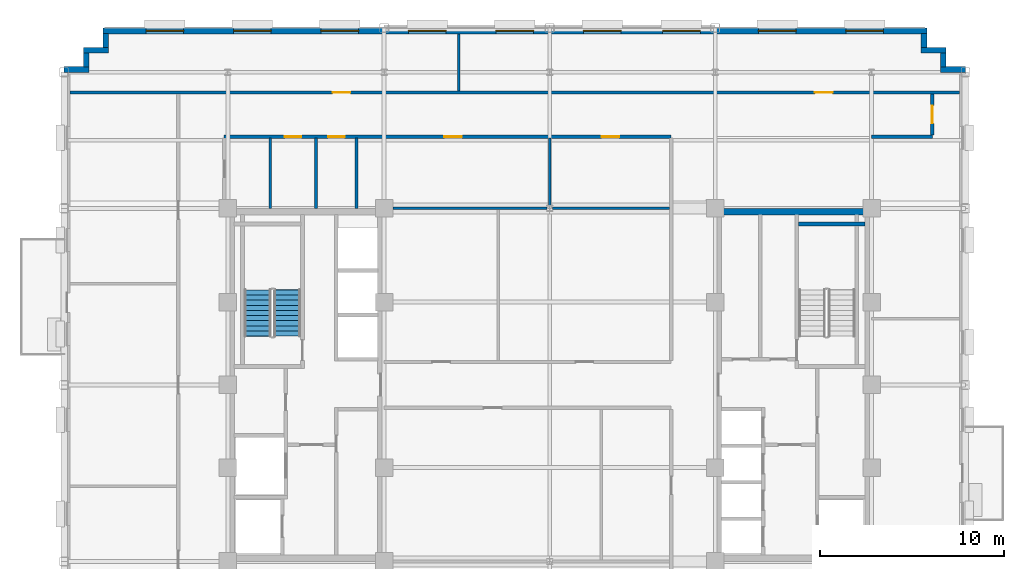
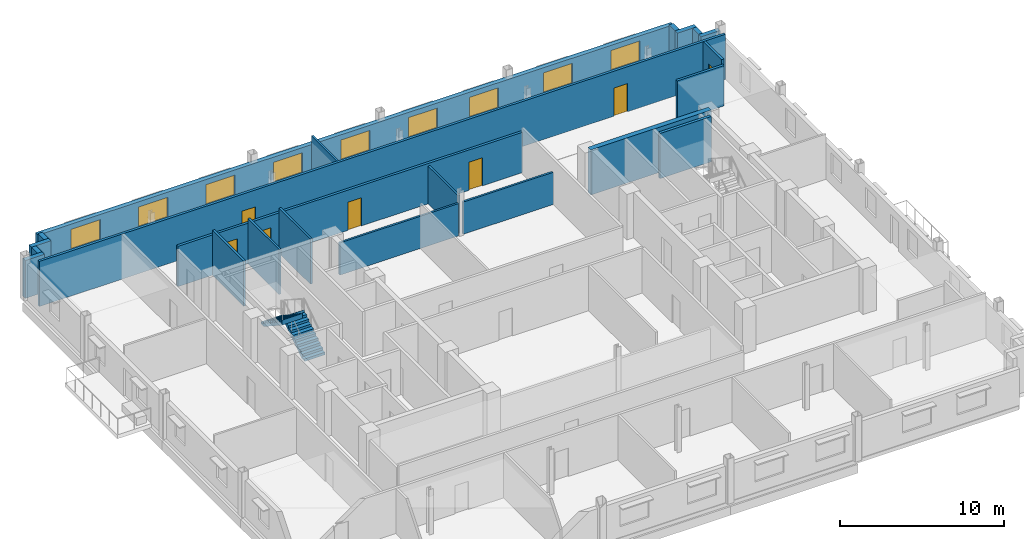
# One storey, part 10 of 15: 22 walls, 9 windows, 7 doors, 2 stair flights, 16 openings, 1 element without a shape of its own.
"""IFC4 building model written with IfcOpenShell, lengths in metres."""

from ifc_helpers import new_model, si_unit, direction, frame, frame_2d, origin, place, context, subcontext, project, spatial, polyline, rectangle, outline, extrude, source, transform, mapped, material, layer, layer_set, type_object, type_shapes, element, fill, aggregate, save


model = new_model("IFC4")

# Units and contexts
model_context = context("Model", 3, precision=1e-05, world=origin(), true_north=direction((0.0, 1.0)))
body_context = subcontext(model_context, "Body", "Model", "MODEL_VIEW")
ifc_project = project(units=[si_unit("LENGTHUNIT", "METRE"), si_unit("AREAUNIT", "SQUARE_METRE"), si_unit("VOLUMEUNIT", "CUBIC_METRE"), si_unit("PLANEANGLEUNIT", "RADIAN"), si_unit("MASSUNIT", "GRAM", prefix="KILO")], contexts=[model_context])

# Site, building, storey
site_placement = place(None, origin())
site = spatial("IfcSite", under=ifc_project, at=site_placement, CompositionType="ELEMENT")
building_placement = place(site_placement, origin())
building = spatial("IfcBuilding", under=site, at=building_placement, Name="Nuvemarco Arch Tower", CompositionType="ELEMENT")
storey_placement = place(building_placement, frame((0.0, 0.0, 190.89990234375)))
storey = spatial("IfcBuildingStorey", under=building, at=storey_placement, Name="L50", CompositionType="ELEMENT", Elevation=190.89990234375)

# Walls
ifc_material_1 = material(Name="Precast concrete C45/55", Category="concrete")
ifc_layer_1 = layer(ifc_material_1, 0.31005859375, Name="EW-UPP-310")
ifc_layer_set_1 = layer_set([ifc_layer_1], Name="Precast concrete C45/55")
wall_type_1 = type_object("IfcWallType", Name="EW-UPP-310", PredefinedType="STANDARD", material=ifc_layer_set_1)
wall_1_placement = place(storey_placement, frame((21.239990234375, 17.14501953125, 0.0), z_axis=(0.0, 0.0, 1.0), x_axis=(1.0, 0.0, 0.0)))
element("IfcWall", 1, at=wall_1_placement, inside=storey, type_object=wall_type_1, Name="L50 exterior precast facade wall 7", PredefinedType="STANDARD", context=body_context, shape_type="SweptSolid", body=[
    extrude(rectangle(XDim=1.360107421875, YDim=0.31005859375, at=frame_2d((0.68017578125, 0.0))), origin(), (0.0, 0.0, 1.0), 2.816162109375),
])
wall_2_placement = place(storey_placement, frame((21.39501953125, 17.2958984375, 0.0), z_axis=(0.0, 0.0, 1.0), x_axis=(0.0, 1.0, 0.0)))
element("IfcWall", 2, at=wall_2_placement, inside=storey, type_object=wall_type_1, Name="L50 exterior precast facade wall 8", PredefinedType="STANDARD", context=body_context, shape_type="SweptSolid", body=[
    extrude(rectangle(XDim=0.748046875, YDim=0.31005859375, at=frame_2d((0.3740234375, 0.0))), origin(), (0.0, 0.0, 1.0), 2.816162109375),
])
wall_3_placement = place(storey_placement, frame((20.18994140625, 18.195068359375, 0.0), z_axis=(0.0, 0.0, 1.0), x_axis=(1.0, 0.0, 0.0)))
element("IfcWall", 3, at=wall_3_placement, inside=storey, type_object=wall_type_1, Name="L50 exterior precast facade wall 9", PredefinedType="STANDARD", context=body_context, shape_type="SweptSolid", body=[
    extrude(rectangle(XDim=1.360107421875, YDim=0.31005859375, at=frame_2d((0.68017578125, 0.0))), origin(), (0.0, 0.0, 1.0), 2.816162109375),
])
wall_4_placement = place(storey_placement, frame((20.344970703125, 18.345947265625, 0.0), z_axis=(0.0, 0.0, 1.0), x_axis=(0.0, 1.0, 0.0)))
element("IfcWall", 4, at=wall_4_placement, inside=storey, type_object=wall_type_1, Name="L50 exterior precast facade wall 10", PredefinedType="STANDARD", context=body_context, shape_type="SweptSolid", body=[
    extrude(rectangle(XDim=0.748046875, YDim=0.31005859375, at=frame_2d((0.3740234375, 0.0))), origin(), (0.0, 0.0, 1.0), 2.816162109375),
])

# Wall, openings, windows
wall_5_placement = place(storey_placement, frame((-24.300048828125, 19.2451171875, 0.0), z_axis=(0.0, 0.0, 1.0), x_axis=(1.0, 0.0, 0.0)))
wall_5 = element("IfcWall", 5, at=wall_5_placement, inside=storey, type_object=wall_type_1, Name="L50 exterior precast facade wall 11", PredefinedType="STANDARD", context=body_context, shape_type="SweptSolid", body=[
    extrude(rectangle(XDim=44.800048828125, YDim=0.31005859375, at=frame_2d((22.39990234375, 0.0))), origin(), (0.0, 0.0, 1.0), 2.705078125),
])
opening_1_placement = place(wall_5_placement, frame((2.352783203125, 0.0, 0.800048828125)))
opening_1 = element("IfcOpeningElement", 6, at=opening_1_placement, cuts=wall_5, Name="Opening WN-12", PredefinedType="OPENING", context=body_context, shape_type="SweptSolid", body=[
    extrude(rectangle(XDim=2.050048828125, YDim=1.52001953125, at=frame_2d((1.02490234375, 0.760009765625))), frame((0.0, 0.1650390625, 0.0), z_axis=(0.0, -1.0, 0.0), x_axis=(1.0, 0.0, 0.0)), (0.0, 0.0, 1.0), 0.330078125),
])
opening_2_placement = place(wall_5_placement, frame((7.1083984375, 0.0, 0.800048828125)))
opening_2 = element("IfcOpeningElement", 7, at=opening_2_placement, cuts=wall_5, Name="Opening WN-12", PredefinedType="OPENING", context=body_context, shape_type="SweptSolid", body=[
    extrude(rectangle(XDim=2.050048828125, YDim=1.52001953125, at=frame_2d((1.02490234375, 0.760009765625))), frame((0.0, 0.1650390625, 0.0), z_axis=(0.0, -1.0, 0.0), x_axis=(1.0, 0.0, 0.0)), (0.0, 0.0, 1.0), 0.330078125),
])
opening_3_placement = place(wall_5_placement, frame((11.864013671875, 0.0, 0.800048828125)))
opening_3 = element("IfcOpeningElement", 8, at=opening_3_placement, cuts=wall_5, Name="Opening WN-12", PredefinedType="OPENING", context=body_context, shape_type="SweptSolid", body=[
    extrude(rectangle(XDim=2.050048828125, YDim=1.52001953125, at=frame_2d((1.02490234375, 0.760009765625))), frame((0.0, 0.1650390625, 0.0), z_axis=(0.0, -1.0, 0.0), x_axis=(1.0, 0.0, 0.0)), (0.0, 0.0, 1.0), 0.330078125),
])
opening_4_placement = place(wall_5_placement, frame((16.619384765625, 0.0, 0.800048828125)))
opening_4 = element("IfcOpeningElement", 9, at=opening_4_placement, cuts=wall_5, Name="Opening WN-12", PredefinedType="OPENING", context=body_context, shape_type="SweptSolid", body=[
    extrude(rectangle(XDim=2.050048828125, YDim=1.52001953125, at=frame_2d((1.02490234375, 0.760009765625))), frame((0.0, 0.1650390625, 0.0), z_axis=(0.0, -1.0, 0.0), x_axis=(1.0, 0.0, 0.0)), (0.0, 0.0, 1.0), 0.330078125),
])
opening_5_placement = place(wall_5_placement, frame((21.375, 0.0, 0.800048828125)))
opening_5 = element("IfcOpeningElement", 10, at=opening_5_placement, cuts=wall_5, Name="Opening WN-12", PredefinedType="OPENING", context=body_context, shape_type="SweptSolid", body=[
    extrude(rectangle(XDim=2.050048828125, YDim=1.52001953125, at=frame_2d((1.02490234375, 0.760009765625))), frame((0.0, 0.1650390625, 0.0), z_axis=(0.0, -1.0, 0.0), x_axis=(1.0, 0.0, 0.0)), (0.0, 0.0, 1.0), 0.330078125),
])
opening_6_placement = place(wall_5_placement, frame((26.130615234375, 0.0, 0.800048828125)))
opening_6 = element("IfcOpeningElement", 11, at=opening_6_placement, cuts=wall_5, Name="Opening WN-12", PredefinedType="OPENING", context=body_context, shape_type="SweptSolid", body=[
    extrude(rectangle(XDim=2.050048828125, YDim=1.52001953125, at=frame_2d((1.02490234375, 0.760009765625))), frame((0.0, 0.1650390625, 0.0), z_axis=(0.0, -1.0, 0.0), x_axis=(1.0, 0.0, 0.0)), (0.0, 0.0, 1.0), 0.330078125),
])
opening_7_placement = place(wall_5_placement, frame((30.43603515625, 0.0, 0.800048828125)))
opening_7 = element("IfcOpeningElement", 12, at=opening_7_placement, cuts=wall_5, Name="Opening WN-12", PredefinedType="OPENING", context=body_context, shape_type="SweptSolid", body=[
    extrude(rectangle(XDim=2.050048828125, YDim=1.52001953125, at=frame_2d((1.02490234375, 0.760009765625))), frame((0.0, 0.1650390625, 0.0), z_axis=(0.0, -1.0, 0.0), x_axis=(1.0, 0.0, 0.0)), (0.0, 0.0, 1.0), 0.330078125),
])
opening_8_placement = place(wall_5_placement, frame((35.6416015625, 0.0, 0.800048828125)))
opening_8 = element("IfcOpeningElement", 13, at=opening_8_placement, cuts=wall_5, Name="Opening WN-12", PredefinedType="OPENING", context=body_context, shape_type="SweptSolid", body=[
    extrude(rectangle(XDim=2.050048828125, YDim=1.52001953125, at=frame_2d((1.02490234375, 0.760009765625))), frame((0.0, 0.1650390625, 0.0), z_axis=(0.0, -1.0, 0.0), x_axis=(1.0, 0.0, 0.0)), (0.0, 0.0, 1.0), 0.330078125),
])
opening_9_placement = place(wall_5_placement, frame((40.397216796875, 0.0, 0.800048828125)))
opening_9 = element("IfcOpeningElement", 14, at=opening_9_placement, cuts=wall_5, Name="Opening WN-12", PredefinedType="OPENING", context=body_context, shape_type="SweptSolid", body=[
    extrude(rectangle(XDim=2.050048828125, YDim=1.52001953125, at=frame_2d((1.02490234375, 0.760009765625))), frame((0.0, 0.1650390625, 0.0), z_axis=(0.0, -1.0, 0.0), x_axis=(1.0, 0.0, 0.0)), (0.0, 0.0, 1.0), 0.330078125),
])
ifc_material_2 = material(Name="Insulated solar-control glass", Category="glass")
window_type = type_object("IfcWindowType", Name="WN-SET-2050x1520", PartitioningType="DOUBLE_PANEL_VERTICAL", PredefinedType="WINDOW", material=ifc_material_2)
shared_shape_1 = source(origin(), body_context, "Body", "SweptSolid", [
    extrude(rectangle(XDim=2.050048828125, YDim=1.52001953125, at=frame_2d((1.02490234375, 0.760009765625))), frame((0.0, 0.030029296875, 0.0), z_axis=(0.0, -1.0, 0.0), x_axis=(1.0, 0.0, 0.0)), (0.0, 0.0, 1.0), 0.06005859375),
])
type_shapes(window_type, [shared_shape_1])
window_1_placement = place(opening_1_placement, origin())
window_1 = element("IfcWindow", 15, at=window_1_placement, inside=storey, type_object=window_type, Name="L50 punched facade window 1", OverallHeight=1.52001953125, OverallWidth=2.050048828125, PartitioningType="SINGLE_PANEL", PredefinedType="WINDOW", context=body_context, shape_type="MappedRepresentation", body=[
    mapped(shared_shape_1, transform((0.0, 0.0, 0.0), scale=1.0)),
])
fill(opening_1, window_1)
window_2_placement = place(opening_2_placement, origin())
window_2 = element("IfcWindow", 16, at=window_2_placement, inside=storey, type_object=window_type, Name="L50 punched facade window 2", OverallHeight=1.52001953125, OverallWidth=2.050048828125, PartitioningType="SINGLE_PANEL", PredefinedType="WINDOW", context=body_context, shape_type="MappedRepresentation", body=[
    mapped(shared_shape_1, transform((0.0, 0.0, 0.0), scale=1.0)),
])
fill(opening_2, window_2)
window_3_placement = place(opening_3_placement, origin())
window_3 = element("IfcWindow", 17, at=window_3_placement, inside=storey, type_object=window_type, Name="L50 punched facade window 3", OverallHeight=1.52001953125, OverallWidth=2.050048828125, PartitioningType="SINGLE_PANEL", PredefinedType="WINDOW", context=body_context, shape_type="MappedRepresentation", body=[
    mapped(shared_shape_1, transform((0.0, 0.0, 0.0), scale=1.0)),
])
fill(opening_3, window_3)
window_4_placement = place(opening_4_placement, origin())
window_4 = element("IfcWindow", 18, at=window_4_placement, inside=storey, type_object=window_type, Name="L50 punched facade window 4", OverallHeight=1.52001953125, OverallWidth=2.050048828125, PartitioningType="SINGLE_PANEL", PredefinedType="WINDOW", context=body_context, shape_type="MappedRepresentation", body=[
    mapped(shared_shape_1, transform((0.0, 0.0, 0.0), scale=1.0)),
])
fill(opening_4, window_4)
window_5_placement = place(opening_5_placement, origin())
window_5 = element("IfcWindow", 19, at=window_5_placement, inside=storey, type_object=window_type, Name="L50 punched facade window 5", OverallHeight=1.52001953125, OverallWidth=2.050048828125, PartitioningType="SINGLE_PANEL", PredefinedType="WINDOW", context=body_context, shape_type="MappedRepresentation", body=[
    mapped(shared_shape_1, transform((0.0, 0.0, 0.0), scale=1.0)),
])
fill(opening_5, window_5)
window_6_placement = place(opening_6_placement, origin())
window_6 = element("IfcWindow", 20, at=window_6_placement, inside=storey, type_object=window_type, Name="L50 punched facade window 6", OverallHeight=1.52001953125, OverallWidth=2.050048828125, PartitioningType="SINGLE_PANEL", PredefinedType="WINDOW", context=body_context, shape_type="MappedRepresentation", body=[
    mapped(shared_shape_1, transform((0.0, 0.0, 0.0), scale=1.0)),
])
fill(opening_6, window_6)
window_7_placement = place(opening_7_placement, origin())
window_7 = element("IfcWindow", 21, at=window_7_placement, inside=storey, type_object=window_type, Name="L50 punched facade window 7", OverallHeight=1.52001953125, OverallWidth=2.050048828125, PartitioningType="SINGLE_PANEL", PredefinedType="WINDOW", context=body_context, shape_type="MappedRepresentation", body=[
    mapped(shared_shape_1, transform((0.0, 0.0, 0.0), scale=1.0)),
])
fill(opening_7, window_7)
window_8_placement = place(opening_8_placement, origin())
window_8 = element("IfcWindow", 22, at=window_8_placement, inside=storey, type_object=window_type, Name="L50 punched facade window 8", OverallHeight=1.52001953125, OverallWidth=2.050048828125, PartitioningType="SINGLE_PANEL", PredefinedType="WINDOW", context=body_context, shape_type="MappedRepresentation", body=[
    mapped(shared_shape_1, transform((0.0, 0.0, 0.0), scale=1.0)),
])
fill(opening_8, window_8)
window_9_placement = place(opening_9_placement, origin())
window_9 = element("IfcWindow", 23, at=window_9_placement, inside=storey, type_object=window_type, Name="L50 punched facade window 9", OverallHeight=1.52001953125, OverallWidth=2.050048828125, PartitioningType="SINGLE_PANEL", PredefinedType="WINDOW", context=body_context, shape_type="MappedRepresentation", body=[
    mapped(shared_shape_1, transform((0.0, 0.0, 0.0), scale=1.0)),
])
fill(opening_9, window_9)

# Walls
wall_6_placement = place(storey_placement, frame((-24.14501953125, 18.345947265625, 0.0), z_axis=(0.0, 0.0, 1.0), x_axis=(0.0, 1.0, 0.0)))
element("IfcWall", 24, at=wall_6_placement, inside=storey, type_object=wall_type_1, Name="L50 exterior precast facade wall 12", PredefinedType="STANDARD", context=body_context, shape_type="SweptSolid", body=[
    extrude(rectangle(XDim=0.748046875, YDim=0.31005859375, at=frame_2d((0.3740234375, 0.0))), origin(), (0.0, 0.0, 1.0), 2.816162109375),
])
wall_7_placement = place(storey_placement, frame((-25.35009765625, 18.195068359375, 0.0), z_axis=(0.0, 0.0, 1.0), x_axis=(1.0, 0.0, 0.0)))
element("IfcWall", 25, at=wall_7_placement, inside=storey, type_object=wall_type_1, Name="L50 exterior precast facade wall 13", PredefinedType="STANDARD", context=body_context, shape_type="SweptSolid", body=[
    extrude(rectangle(XDim=1.360107421875, YDim=0.31005859375, at=frame_2d((0.68017578125, 0.0))), origin(), (0.0, 0.0, 1.0), 2.816162109375),
])
wall_8_placement = place(storey_placement, frame((-25.195068359375, 17.2958984375, 0.0), z_axis=(0.0, 0.0, 1.0), x_axis=(0.0, 1.0, 0.0)))
element("IfcWall", 26, at=wall_8_placement, inside=storey, type_object=wall_type_1, Name="L50 exterior precast facade wall 14", PredefinedType="STANDARD", context=body_context, shape_type="SweptSolid", body=[
    extrude(rectangle(XDim=0.748046875, YDim=0.31005859375, at=frame_2d((0.3740234375, 0.0))), origin(), (0.0, 0.0, 1.0), 2.816162109375),
])
wall_9_placement = place(storey_placement, frame((-26.39990234375, 17.14501953125, 0.0), z_axis=(0.0, 0.0, 1.0), x_axis=(1.0, 0.0, 0.0)))
element("IfcWall", 27, at=wall_9_placement, inside=storey, type_object=wall_type_1, Name="L50 exterior precast facade wall 15", PredefinedType="STANDARD", context=body_context, shape_type="SweptSolid", body=[
    extrude(rectangle(XDim=1.35986328125, YDim=0.31005859375, at=frame_2d((0.679931640625, 0.0))), origin(), (0.0, 0.0, 1.0), 2.816162109375),
])
ifc_material_3 = material(Name="Concrete C50/60", Category="concrete")
ifc_layer_2 = layer(ifc_material_3, 0.35009765625, Name="WL-CORE-350")
ifc_layer_set_2 = layer_set([ifc_layer_2], Name="Concrete C50/60")
wall_type_2 = type_object("IfcWallType", Name="WL-CORE-350", PredefinedType="SHEAR", material=ifc_layer_set_2)
wall_10_placement = place(storey_placement, frame((9.0, 9.425048828125, 0.0), z_axis=(0.0, 0.0, 1.0), x_axis=(1.0, 0.0, 0.0)))
element("IfcWall", 28, at=wall_10_placement, inside=storey, type_object=wall_type_2, Name="L50 E-core shear wall N", PredefinedType="SHEAR", context=body_context, shape_type="SweptSolid", body=[
    extrude(rectangle(XDim=8.5, YDim=0.35009765625, at=frame_2d((4.25, 0.0))), origin(), (0.0, 0.0, 1.0), 3.3701171875),
])

# Wall, openings, doors
ifc_material_4 = material(Name="Fire-rated gypsum drywall partition")
ifc_layer_3 = layer(ifc_material_4, 0.179931640625, Name="WL-CORR-180")
ifc_layer_set_3 = layer_set([ifc_layer_3], Name="Fire-rated gypsum drywall partition")
wall_type_3 = type_object("IfcWallType", Name="WL-CORR-180", PredefinedType="PARTITIONING", material=ifc_layer_set_3)
wall_11_placement = place(storey_placement, frame((-17.699951171875, 13.5, 0.0), z_axis=(0.0, 0.0, 1.0), x_axis=(1.0, 0.0, 0.0)))
wall_11 = element("IfcWall", 29, at=wall_11_placement, inside=storey, type_object=wall_type_3, Name="L50 interior wall IW-L50-013", PredefinedType="PARTITIONING", context=body_context, shape_type="SweptSolid", body=[
    extrude(rectangle(XDim=24.300048828125, YDim=0.179931640625, at=frame_2d((12.14990234375, 0.0))), origin(), (0.0, 0.0, 1.0), 3.008056640625),
])
opening_10_placement = place(wall_11_placement, frame((11.969970703125, 0.0, 0.0)))
opening_10 = element("IfcOpeningElement", 30, at=opening_10_placement, cuts=wall_11, Name="Opening FD-5", PredefinedType="OPENING", context=body_context, shape_type="SweptSolid", body=[
    extrude(rectangle(XDim=0.9599609375, YDim=2.10009765625, at=frame_2d((0.47998046875, 1.050048828125))), frame((0.0, 0.099853515625, 0.0), z_axis=(0.0, -1.0, 0.0), x_axis=(1.0, 0.0, 0.0)), (0.0, 0.0, 1.0), 0.199951171875),
])
opening_11_placement = place(wall_11_placement, frame((20.52001953125, 0.0, 0.0)))
opening_11 = element("IfcOpeningElement", 31, at=opening_11_placement, cuts=wall_11, Name="Opening FD-5", PredefinedType="OPENING", context=body_context, shape_type="SweptSolid", body=[
    extrude(rectangle(XDim=0.9599609375, YDim=2.10009765625, at=frame_2d((0.47998046875, 1.050048828125))), frame((0.0, 0.099853515625, 0.0), z_axis=(0.0, -1.0, 0.0), x_axis=(1.0, 0.0, 0.0)), (0.0, 0.0, 1.0), 0.199951171875),
])
opening_12_placement = place(wall_11_placement, frame((3.300048828125, 0.0, 0.0)))
opening_12 = element("IfcOpeningElement", 32, at=opening_12_placement, cuts=wall_11, Name="Opening ID-3", PredefinedType="OPENING", context=body_context, shape_type="SweptSolid", body=[
    extrude(rectangle(XDim=0.89990234375, YDim=2.10009765625, at=frame_2d((0.449951171875, 1.050048828125))), frame((0.0, 0.099853515625, 0.0), z_axis=(0.0, -1.0, 0.0), x_axis=(1.0, 0.0, 0.0)), (0.0, 0.0, 1.0), 0.199951171875),
])
opening_13_placement = place(wall_11_placement, frame((5.64990234375, 0.0, 0.0)))
opening_13 = element("IfcOpeningElement", 33, at=opening_13_placement, cuts=wall_11, Name="Opening ID-3", PredefinedType="OPENING", context=body_context, shape_type="SweptSolid", body=[
    extrude(rectangle(XDim=0.89990234375, YDim=2.10009765625, at=frame_2d((0.449951171875, 1.050048828125))), frame((0.0, 0.099853515625, 0.0), z_axis=(0.0, -1.0, 0.0), x_axis=(1.0, 0.0, 0.0)), (0.0, 0.0, 1.0), 0.199951171875),
])
ifc_material_5 = material(Name="Timber fire door", Category="wood")
door_type_1 = type_object("IfcDoorType", Name="DR-CORR-FD", OperationType="NOTDEFINED", PredefinedType="DOOR", material=ifc_material_5)
shared_shape_2 = source(origin(), body_context, "Body", "SweptSolid", [
    extrude(rectangle(XDim=0.9599609375, YDim=2.10009765625, at=frame_2d((0.47998046875, 1.050048828125))), frame((0.0, 0.02490234375, 0.0), z_axis=(0.0, -1.0, 0.0), x_axis=(1.0, 0.0, 0.0)), (0.0, 0.0, 1.0), 0.050048828125),
])
type_shapes(door_type_1, [shared_shape_2])
door_1_placement = place(opening_10_placement, origin())
door_1 = element("IfcDoor", 34, at=door_1_placement, inside=storey, type_object=door_type_1, Name="L50 door DR-L50-IN_N1", OperationType="SINGLE_SWING_RIGHT", OverallHeight=2.10009765625, OverallWidth=0.9599609375, PredefinedType="DOOR", context=body_context, shape_type="MappedRepresentation", body=[
    mapped(shared_shape_2, transform((0.0, 0.0, 0.0), scale=1.0)),
])
fill(opening_10, door_1)
door_2_placement = place(opening_11_placement, origin())
door_2 = element("IfcDoor", 35, at=door_2_placement, inside=storey, type_object=door_type_1, Name="L50 door DR-L50-IN_N2", OperationType="SINGLE_SWING_RIGHT", OverallHeight=2.10009765625, OverallWidth=0.9599609375, PredefinedType="DOOR", context=body_context, shape_type="MappedRepresentation", body=[
    mapped(shared_shape_2, transform((0.0, 0.0, 0.0), scale=1.0)),
])
fill(opening_11, door_2)
ifc_material_6 = material(Name="Veneered oak timber fire door", Category="wood")
door_type_2 = type_object("IfcDoorType", Name="DR-WC-ACC", OperationType="NOTDEFINED", PredefinedType="DOOR", material=ifc_material_6)
shared_shape_3 = source(origin(), body_context, "Body", "SweptSolid", [
    extrude(rectangle(XDim=0.89990234375, YDim=2.10009765625, at=frame_2d((0.449951171875, 1.050048828125))), frame((0.0, 0.02490234375, 0.0), z_axis=(0.0, -1.0, 0.0), x_axis=(1.0, 0.0, 0.0)), (0.0, 0.0, 1.0), 0.050048828125),
])
type_shapes(door_type_2, [shared_shape_3])
door_3_placement = place(opening_12_placement, origin())
door_3 = element("IfcDoor", 36, at=door_3_placement, inside=storey, type_object=door_type_2, Name="L50 door DR-L50-WC_F", OperationType="SINGLE_SWING_LEFT", OverallHeight=2.10009765625, OverallWidth=0.89990234375, PredefinedType="DOOR", context=body_context, shape_type="MappedRepresentation", body=[
    mapped(shared_shape_3, transform((0.0, 0.0, 0.0), scale=1.0)),
])
fill(opening_12, door_3)
door_4_placement = place(opening_13_placement, origin())
door_4 = element("IfcDoor", 37, at=door_4_placement, inside=storey, type_object=door_type_2, Name="L50 door DR-L50-WC_ACC", OperationType="SINGLE_SWING_RIGHT", OverallHeight=2.10009765625, OverallWidth=0.89990234375, PredefinedType="DOOR", context=body_context, shape_type="MappedRepresentation", body=[
    mapped(shared_shape_3, transform((0.0, 0.0, 0.0), scale=1.0)),
])
fill(opening_13, door_4)

# Wall
wall_12_placement = place(storey_placement, frame((17.5, 13.5, 0.0), z_axis=(0.0, 0.0, 1.0), x_axis=(1.0, 0.0, 0.0)))
element("IfcWall", 38, at=wall_12_placement, inside=storey, type_object=wall_type_3, Name="L50 interior wall IW-L50-014", PredefinedType="PARTITIONING", context=body_context, shape_type="SweptSolid", body=[
    extrude(rectangle(XDim=3.300048828125, YDim=0.179931640625, at=frame_2d((1.64990234375, 0.0))), origin(), (0.0, 0.0, 1.0), 3.008056640625),
])

# Wall, openings, doors
wall_13_placement = place(storey_placement, frame((-26.090087890625, 15.89990234375, 0.0), z_axis=(0.0, 0.0, 1.0), x_axis=(1.0, 0.0, 0.0)))
wall_13 = element("IfcWall", 39, at=wall_13_placement, inside=storey, type_object=wall_type_3, Name="L50 interior wall IW-L50-015", PredefinedType="PARTITIONING", context=body_context, shape_type="SweptSolid", body=[
    extrude(rectangle(XDim=48.380126953125, YDim=0.179931640625, at=frame_2d((24.18994140625, 0.0))), origin(), (0.0, 0.0, 1.0), 3.360107421875),
])
opening_14_placement = place(wall_13_placement, frame((14.2900390625, 0.0, 0.0)))
opening_14 = element("IfcOpeningElement", 40, at=opening_14_placement, cuts=wall_13, Name="Opening FD-5", PredefinedType="OPENING", context=body_context, shape_type="SweptSolid", body=[
    extrude(rectangle(XDim=0.9599609375, YDim=2.10009765625, at=frame_2d((0.47998046875, 1.050048828125))), frame((0.0, 0.099853515625, 0.0), z_axis=(0.0, -1.0, 0.0), x_axis=(1.0, 0.0, 0.0)), (0.0, 0.0, 1.0), 0.199951171875),
])
opening_15_placement = place(wall_13_placement, frame((40.510009765625, 0.0, 0.0)))
opening_15 = element("IfcOpeningElement", 41, at=opening_15_placement, cuts=wall_13, Name="Opening FD-5", PredefinedType="OPENING", context=body_context, shape_type="SweptSolid", body=[
    extrude(rectangle(XDim=0.9599609375, YDim=2.10009765625, at=frame_2d((0.47998046875, 1.050048828125))), frame((0.0, 0.099853515625, 0.0), z_axis=(0.0, -1.0, 0.0), x_axis=(1.0, 0.0, 0.0)), (0.0, 0.0, 1.0), 0.199951171875),
])
door_5_placement = place(opening_14_placement, origin())
door_5 = element("IfcDoor", 42, at=door_5_placement, inside=storey, type_object=door_type_1, Name="L50 door DR-L50-N_1", OperationType="SINGLE_SWING_RIGHT", OverallHeight=2.10009765625, OverallWidth=0.9599609375, PredefinedType="DOOR", context=body_context, shape_type="MappedRepresentation", body=[
    mapped(shared_shape_2, transform((0.0, 0.0, 0.0), scale=1.0)),
])
fill(opening_14, door_5)
door_6_placement = place(opening_15_placement, origin())
door_6 = element("IfcDoor", 43, at=door_6_placement, inside=storey, type_object=door_type_1, Name="L50 door DR-L50-N_2", OperationType="SINGLE_SWING_LEFT", OverallHeight=2.10009765625, OverallWidth=0.9599609375, PredefinedType="DOOR", context=body_context, shape_type="MappedRepresentation", body=[
    mapped(shared_shape_2, transform((0.0, 0.0, 0.0), scale=1.0)),
])
fill(opening_15, door_6)

# Wall, opening, door
wall_14_placement = place(storey_placement, frame((20.800048828125, 13.5859375, 0.0), z_axis=(0.0, 0.0, 1.0), x_axis=(0.0, 1.0, 0.0)))
wall_14 = element("IfcWall", 44, at=wall_14_placement, inside=storey, type_object=wall_type_3, Name="L50 interior wall IW-L50-034", PredefinedType="PARTITIONING", context=body_context, shape_type="SweptSolid", body=[
    extrude(rectangle(XDim=2.22802734375, YDim=0.179931640625, at=frame_2d((1.114013671875, 0.0))), origin(), (0.0, 0.0, 1.0), 3.360107421875),
])
opening_16_placement = place(wall_14_placement, frame((0.634033203125, 0.0, 0.0)))
opening_16 = element("IfcOpeningElement", 45, at=opening_16_placement, cuts=wall_14, Name="Opening FD-5", PredefinedType="OPENING", context=body_context, shape_type="SweptSolid", body=[
    extrude(rectangle(XDim=0.9599609375, YDim=2.10009765625, at=frame_2d((0.47998046875, 1.050048828125))), frame((0.0, 0.099853515625, 0.0), z_axis=(0.0, -1.0, 0.0), x_axis=(1.0, 0.0, 0.0)), (0.0, 0.0, 1.0), 0.199951171875),
])
door_7_placement = place(opening_16_placement, origin())
door_7 = element("IfcDoor", 46, at=door_7_placement, inside=storey, type_object=door_type_1, Name="L50 door DR-L50-E_2", OperationType="SINGLE_SWING_LEFT", OverallHeight=2.10009765625, OverallWidth=0.9599609375, PredefinedType="DOOR", context=body_context, shape_type="MappedRepresentation", body=[
    mapped(shared_shape_2, transform((0.0, 0.0, 0.0), scale=1.0)),
])
fill(opening_16, door_7)

# Walls
ifc_material_7 = material(Name="Glazed acoustic office partition")
ifc_layer_4 = layer(ifc_material_7, 0.1298828125, Name="WL-EXEC-130")
ifc_layer_set_4 = layer_set([ifc_layer_4], Name="Glazed acoustic office partition")
wall_type_4 = type_object("IfcWallType", Name="WL-EXEC-130", PredefinedType="PARTITIONING", material=ifc_layer_set_4)
wall_15_placement = place(storey_placement, frame((-4.93994140625, 15.986083984375, 0.0), z_axis=(0.0, 0.0, 1.0), x_axis=(0.0, 1.0, 0.0)))
element("IfcWall", 47, at=wall_15_placement, inside=storey, type_object=wall_type_4, Name="L50 interior wall IW-L50-024", PredefinedType="PARTITIONING", context=body_context, shape_type="SweptSolid", body=[
    extrude(rectangle(XDim=3.10400390625, YDim=0.1298828125, at=frame_2d((1.552001953125, 0.0))), origin(), (0.0, 0.0, 1.0), 3.360107421875),
])
ifc_material_8 = material(Name="Gypsum plasterboard partition")
ifc_layer_5 = layer(ifc_material_8, 0.139892578125, Name="WL-ROOM-140")
ifc_layer_set_5 = layer_set([ifc_layer_5], Name="Gypsum plasterboard partition")
wall_type_5 = type_object("IfcWallType", Name="WL-ROOM-140", PredefinedType="PARTITIONING", material=ifc_layer_set_5)
wall_16_placement = place(storey_placement, frame((-8.529052734375, 9.60009765625, 0.0), z_axis=(0.0, 0.0, 1.0), x_axis=(1.0, 0.0, 0.0)))
element("IfcWall", 48, at=wall_16_placement, inside=storey, type_object=wall_type_5, Name="L50 interior wall IW-L50-011", PredefinedType="PARTITIONING", context=body_context, shape_type="SweptSolid", body=[
    extrude(rectangle(XDim=8.378173828125, YDim=0.139892578125, at=frame_2d((4.18896484375, 0.0))), origin(), (0.0, 0.0, 1.0), 2.405029296875),
])
wall_17_placement = place(storey_placement, frame((0.15087890625, 9.60009765625, 0.0), z_axis=(0.0, 0.0, 1.0), x_axis=(1.0, 0.0, 0.0)))
element("IfcWall", 49, at=wall_17_placement, inside=storey, type_object=wall_type_5, Name="L50 interior wall IW-L50-012", PredefinedType="PARTITIONING", context=body_context, shape_type="SweptSolid", body=[
    extrude(rectangle(XDim=6.363037109375, YDim=0.139892578125, at=frame_2d((3.181640625, 0.0))), origin(), (0.0, 0.0, 1.0), 2.405029296875),
])
wall_18_placement = place(storey_placement, frame((0.0, 9.7509765625, 0.0), z_axis=(0.0, 0.0, 1.0), x_axis=(0.0, 1.0, 0.0)))
element("IfcWall", 50, at=wall_18_placement, inside=storey, type_object=wall_type_5, Name="L50 interior wall IW-L50-027", PredefinedType="PARTITIONING", context=body_context, shape_type="SweptSolid", body=[
    extrude(rectangle(XDim=3.6630859375, YDim=0.139892578125, at=frame_2d((1.83154296875, 0.0))), origin(), (0.0, 0.0, 1.0), 2.816162109375),
])
ifc_layer_6 = layer(ifc_material_3, 0.199951171875, Name="WL-SHAFT-220")
ifc_layer_set_6 = layer_set([ifc_layer_6], Name="Concrete C50/60")
wall_type_6 = type_object("IfcWallType", Name="WL-SHAFT-220", PredefinedType="SHEAR", material=ifc_layer_set_6)
wall_19_placement = place(storey_placement, frame((13.534912109375, 8.75, 0.0), z_axis=(0.0, 0.0, 1.0), x_axis=(1.0, 0.0, 0.0)))
element("IfcWall", 51, at=wall_19_placement, inside=storey, type_object=wall_type_6, Name="L50 structural shaft wall SW-L50-E-ST2N", PredefinedType="SHEAR", context=body_context, shape_type="SweptSolid", body=[
    extrude(rectangle(XDim=3.6201171875, YDim=0.199951171875, at=frame_2d((1.81005859375, 0.0))), origin(), (0.0, 0.0, 1.0), 3.3701171875),
])
ifc_material_9 = material(Name="Moisture-resistant gypsum partition")
ifc_layer_7 = layer(ifc_material_9, 0.14990234375, Name="WL-WET-150")
ifc_layer_set_7 = layer_set([ifc_layer_7], Name="Moisture-resistant gypsum partition")
wall_type_7 = type_object("IfcWallType", Name="WL-WET-150", PredefinedType="PARTITIONING", material=ifc_layer_set_7)
for number, where, z_axis, x_axis, name in (
    (52, (-15.199951171875, 9.60009765625, 0.0), (0.0, 0.0, 1.0), (0.0, 1.0, 0.0), "L50 interior wall IW-L50-020"),
    (53, (-12.699951171875, 9.60009765625, 0.0), (0.0, 0.0, 1.0), (0.0, 1.0, 0.0), "L50 interior wall IW-L50-021"),
    (54, (-10.5, 9.60009765625, 0.0), (0.0, 0.0, 1.0), (0.0, 1.0, 0.0), "L50 interior wall IW-L50-023"),
):
    element("IfcWall", number, at=place(storey_placement, frame(where, z_axis=z_axis, x_axis=x_axis)), inside=storey, type_object=wall_type_7, Name=name, PredefinedType="PARTITIONING", context=body_context, shape_type="SweptSolid", body=[
        extrude(rectangle(XDim=3.81396484375, YDim=0.14990234375, at=frame_2d((1.906982421875, 0.0))), origin(), (0.0, 0.0, 1.0), 3.360107421875),
    ])

# Stair, stair flights
stair_type = type_object("IfcStairType", Name="ST-CORE-20R", PredefinedType="HALF_TURN_STAIR", material=ifc_material_1)
stair_placement = place(storey_placement, origin())
stair = element("IfcStair", 55, at=stair_placement, inside=storey, type_object=stair_type, Name="L50 Protected Exit Stair ST-1", PredefinedType="HALF_TURN_STAIR")
stair_flight_type = type_object("IfcStairFlightType", Name="SF-CORE-20R", PredefinedType="STRAIGHT", material=ifc_material_1)
stair_flight_1_placement = place(storey_placement, frame((-14.264892578125, 2.64990234375, 0.0), z_axis=(0.0, 0.0, 1.0), x_axis=(0.0, 1.0, 0.0)))
stair_flight_1 = element("IfcStairFlight", 56, at=stair_flight_1_placement, type_object=stair_flight_type, Name="ST-20R flight 1", NumberOfRisers=10, NumberOfTreads=9, PredefinedType="STRAIGHT", RiserHeight=0.1825, TreadLength=0.28, context=body_context, shape_type="SweptSolid", body=[
    extrude(outline(polyline([(0.0, 0.0), (0.0, 0.1826171875), (0.280029296875, 0.1826171875), (0.280029296875, 0.364990234375), (0.56005859375, 0.364990234375), (0.56005859375, 0.547607421875), (0.840087890625, 0.547607421875), (0.840087890625, 0.72998046875), (1.1201171875, 0.72998046875), (1.1201171875, 0.91259765625), (1.39990234375, 0.91259765625), (1.39990234375, 1.094970703125), (1.679931640625, 1.094970703125), (1.679931640625, 1.277587890625), (1.9599609375, 1.277587890625), (1.9599609375, 1.4599609375), (2.239990234375, 1.4599609375), (2.239990234375, 1.642578125), (2.52001953125, 1.642578125), (2.52001953125, 1.824951171875), (2.5400390625, 1.824951171875), (2.5400390625, 1.45166015625), (0.312744140625, 0.0), (0.0, 0.0)])), frame((0.0, 0.72509765625, 0.0), z_axis=(0.0, -1.0, 0.0), x_axis=(1.0, 0.0, 0.0)), (0.0, 0.0, 1.0), 1.449951171875),
])
stair_flight_2_placement = place(storey_placement, frame((-15.875, 5.169921875, 1.8251953125), z_axis=(0.0, 0.0, 1.0), x_axis=(0.0, -1.0, 0.0)))
stair_flight_2 = element("IfcStairFlight", 57, at=stair_flight_2_placement, type_object=stair_flight_type, Name="ST-20R flight 2", NumberOfRisers=10, NumberOfTreads=9, PredefinedType="STRAIGHT", RiserHeight=0.1825, TreadLength=0.28, context=body_context, shape_type="SweptSolid", body=[
    extrude(outline(polyline([(0.0, 0.0), (0.0, 0.1826171875), (0.280029296875, 0.1826171875), (0.280029296875, 0.364990234375), (0.56005859375, 0.364990234375), (0.56005859375, 0.547607421875), (0.840087890625, 0.547607421875), (0.840087890625, 0.72998046875), (1.1201171875, 0.72998046875), (1.1201171875, 0.91259765625), (1.39990234375, 0.91259765625), (1.39990234375, 1.094970703125), (1.679931640625, 1.094970703125), (1.679931640625, 1.277587890625), (1.9599609375, 1.277587890625), (1.9599609375, 1.4599609375), (2.239990234375, 1.4599609375), (2.239990234375, 1.642578125), (2.52001953125, 1.642578125), (2.52001953125, 1.824951171875), (2.5400390625, 1.824951171875), (2.5400390625, 1.45166015625), (0.312744140625, 0.0), (0.0, 0.0)])), frame((0.0, 0.72509765625, 0.0), z_axis=(0.0, -1.0, 0.0), x_axis=(1.0, 0.0, 0.0)), (0.0, 0.0, 1.0), 1.449951171875),
])
aggregate(stair, [stair_flight_1, stair_flight_2])

save(model, "model.ifc")
